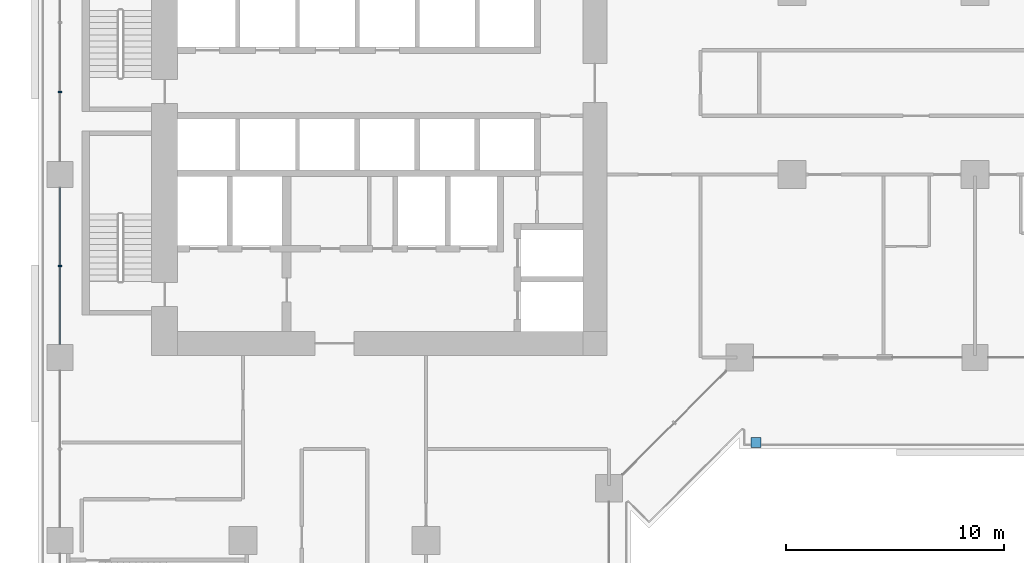
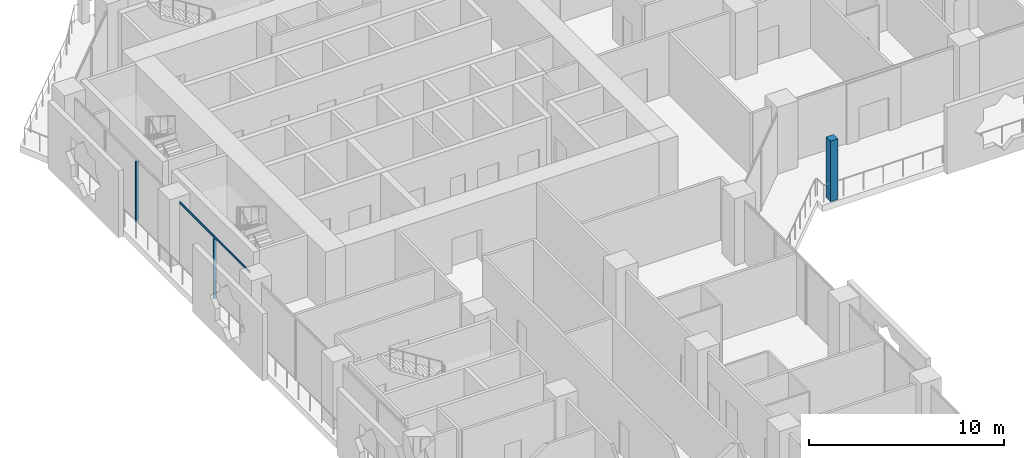
# One storey, part 5 of 26: 4 members, 2 elements without a shape of their own.
"""IFC4 building model written with IfcOpenShell, lengths in metres."""

from ifc_helpers import new_model, si_unit, direction, frame, origin, origin_2d, place, context, subcontext, project, spatial, rectangle, extrude, material, layer, layer_set, material_profile, profile_set, type_object, element, aggregate, save


model = new_model("IFC4")

# Units and contexts
model_context = context("Model", 3, precision=1e-05, world=origin(), true_north=direction((0.0, 1.0)))
body_context = subcontext(model_context, "Body", "Model", "MODEL_VIEW")
ifc_project = project(units=[si_unit("LENGTHUNIT", "METRE"), si_unit("AREAUNIT", "SQUARE_METRE"), si_unit("VOLUMEUNIT", "CUBIC_METRE"), si_unit("PLANEANGLEUNIT", "RADIAN"), si_unit("MASSUNIT", "GRAM", prefix="KILO")], contexts=[model_context])

# Site, building, storey
site_placement = place(None, origin())
site = spatial("IfcSite", under=ifc_project, at=site_placement, CompositionType="ELEMENT")
building_placement = place(site_placement, origin())
building = spatial("IfcBuilding", under=site, at=building_placement, Name="Kawkab Arch Medical Tower", CompositionType="ELEMENT")
storey_placement = place(building_placement, frame((0.0, 0.0, 51.800048828125)))
storey = spatial("IfcBuildingStorey", under=building, at=storey_placement, Name="L11", CompositionType="ELEMENT", Elevation=51.800048828125)

# Curtain wall, members
ifc_material_1 = material(Name="Bronze anodised aluminium curtain wall frame", Category="aluminium")
ifc_layer_1 = layer(ifc_material_1, 0.159912109375)
ifc_layer_set_1 = layer_set([ifc_layer_1], Name="Bronze anodised aluminium curtain wall frame")
curtain_wall_type_1 = type_object("IfcCurtainWallType", Name="CW1 ward curtain wall", PredefinedType="NOTDEFINED", material=ifc_layer_set_1)
placement = place(storey_placement, origin())
curtain_wall_1 = element("IfcCurtainWall", 1, at=placement, inside=storey, type_object=curtain_wall_type_1, Name="CW1 Ward curtain wall R01", PredefinedType="NOTDEFINED")
ifc_material_2 = material(Name="Bronze anodised aluminium curtain wall frame", Category="aluminium")
ifc_material_profile_1 = material_profile(ifc_material_2, rectangle(XDim=0.179931640625, YDim=0.06005859375, at=origin_2d()), Name="AL 60x180")
ifc_profile_set_1 = profile_set([ifc_material_profile_1], Name="Bronze anodised aluminium curtain wall frame")
member_type_1 = type_object("IfcMemberType", Name="CW1 mullion 60 x 180", PredefinedType="MULLION", material=ifc_profile_set_1)
member_1_placement = place(storey_placement, frame((0.0, -13.00830078125, 0.0), z_axis=(0.0, 0.0, 1.0), x_axis=(1.0, 0.0, 0.0)))
member_1 = element("IfcMember", 2, at=member_1_placement, type_object=member_type_1, Name="CW1 mullion 1.2", PredefinedType="MULLION", context=body_context, shape_type="SweptSolid", body=[
    extrude(rectangle(XDim=0.179931640625, YDim=0.06005859375, at=origin_2d()), origin(), (0.0, 0.0, 1.0), 3.780029296875),
])
member_2_placement = place(storey_placement, frame((0.0, -21.0, 0.0), z_axis=(0.0, 0.0, 1.0), x_axis=(1.0, 0.0, 0.0)))
member_2 = element("IfcMember", 3, at=member_2_placement, type_object=member_type_1, Name="CW1 mullion 2.1", PredefinedType="MULLION", context=body_context, shape_type="SweptSolid", body=[
    extrude(rectangle(XDim=0.179931640625, YDim=0.06005859375, at=origin_2d()), origin(), (0.0, 0.0, 1.0), 3.780029296875),
])
ifc_material_3 = material(Name="Bronze anodised aluminium curtain wall frame", Category="aluminium")
ifc_material_profile_2 = material_profile(ifc_material_3, rectangle(XDim=0.06005859375, YDim=0.1201171875, at=origin_2d()), Name="AL 60x120")
ifc_profile_set_2 = profile_set([ifc_material_profile_2], Name="Bronze anodised aluminium curtain wall frame")
member_type_2 = type_object("IfcMemberType", Name="CW1 transom 120 x 60", PredefinedType="USERDEFINED", material=ifc_profile_set_2)
member_3_placement = place(storey_placement, frame((0.0, -17.39990234375, 3.83984375), z_axis=(0.0, -1.0, 0.0), x_axis=(1.0, 0.0, 0.0)))
member_3 = element("IfcMember", 4, at=member_3_placement, type_object=member_type_2, Name="CW1 transom 2", ObjectType="TRANSOM", PredefinedType="USERDEFINED", context=body_context, shape_type="SweptSolid", body=[
    extrude(rectangle(XDim=0.06005859375, YDim=0.1201171875, at=origin_2d()), origin(), (0.0, 0.0, 1.0), 7.2001953125),
])
aggregate(curtain_wall_1, [member_1, member_3, member_2])

# Curtain wall, member
ifc_material_4 = material(Name="Bronze anodised aluminium climber frame, planted", Category="aluminium")
ifc_layer_2 = layer(ifc_material_4, 0.449951171875)
ifc_layer_set_2 = layer_set([ifc_layer_2], Name="Bronze anodised aluminium climber frame, planted")
curtain_wall_type_2 = type_object("IfcCurtainWallType", Name="Planted climber frame", PredefinedType="NOTDEFINED", material=ifc_layer_set_2)
curtain_wall_2 = element("IfcCurtainWall", 5, at=placement, inside=storey, type_object=curtain_wall_type_2, Name="Planted climber frame L11", PredefinedType="NOTDEFINED")
ifc_material_5 = material(Name="Bronze anodised aluminium climber frame, planted", Category="aluminium")
ifc_material_profile_3 = material_profile(ifc_material_5, rectangle(XDim=0.449951171875, YDim=0.449951171875, at=origin_2d()), Name="Post 450x450")
ifc_profile_set_3 = profile_set([ifc_material_profile_3], Name="Bronze anodised aluminium climber frame, planted")
member_type_3 = type_object("IfcMemberType", Name="Planted climber post 450 x 450", PredefinedType="MULLION", material=ifc_profile_set_3)
member_4_placement = place(storey_placement, frame((31.949951171875, -29.10009765625, 0.0), z_axis=(0.0, 0.0, 1.0), x_axis=(1.0, 0.0, 0.0)))
member_4 = element("IfcMember", 6, at=member_4_placement, type_object=member_type_3, Name="Planted climber post L11.LOG-01-01.4", PredefinedType="MULLION", context=body_context, shape_type="SweptSolid", body=[
    extrude(rectangle(XDim=0.449951171875, YDim=0.449951171875, at=origin_2d()), origin(), (0.0, 0.0, 1.0), 3.800048828125),
])
aggregate(curtain_wall_2, [member_4])

save(model, "model.ifc")
